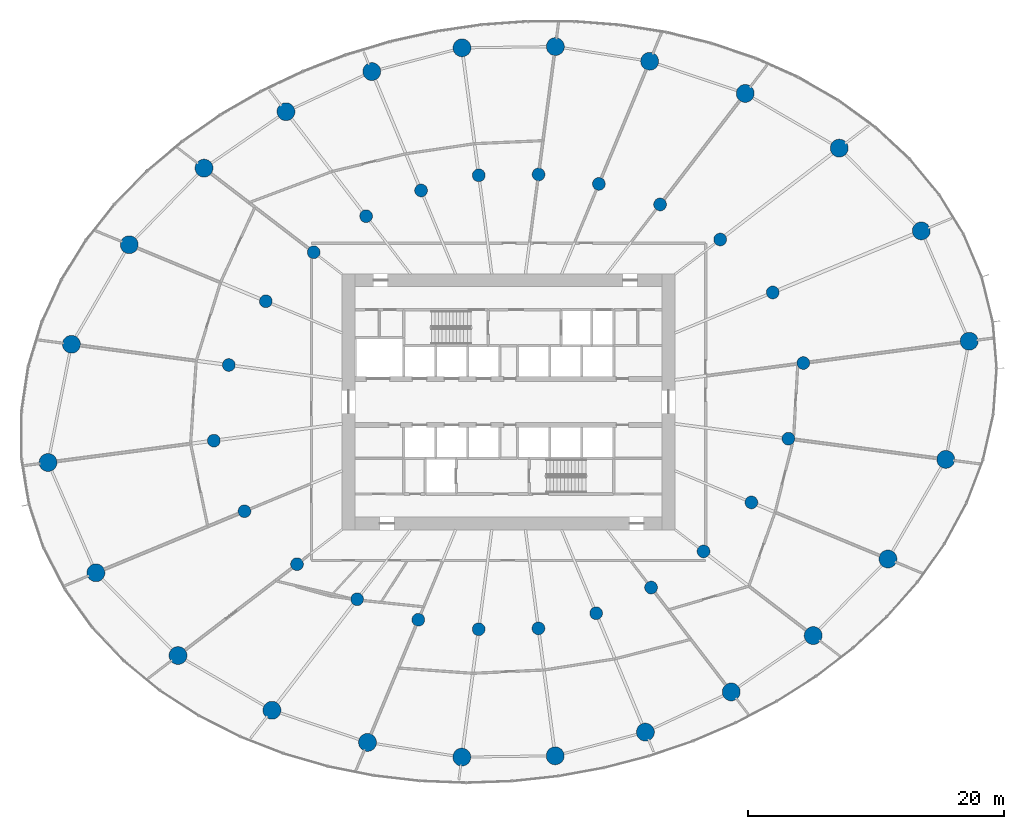
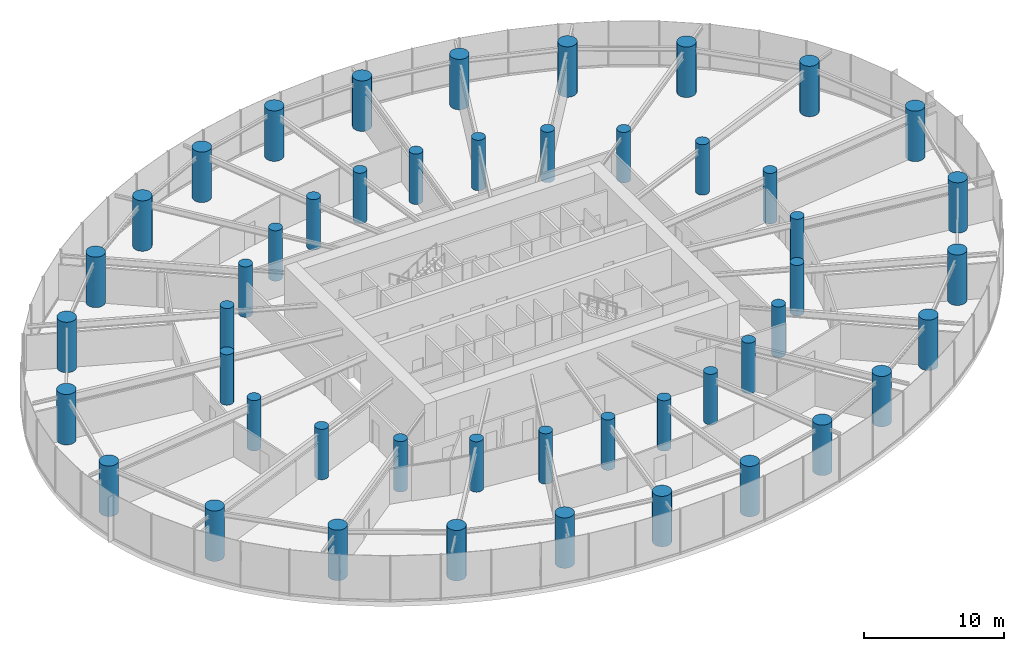
# One storey, part 1 of 19: 48 columns.
"""IFC4 building model written with IfcOpenShell, lengths in metres."""

from ifc_helpers import new_model, si_unit, direction, frame, origin, origin_2d, place, context, subcontext, project, spatial, circle, extrude, source, transform, mapped, material, material_profile, profile_set, type_object, element, save


model = new_model("IFC4")

# Units and contexts
model_context = context("Model", 3, precision=1e-05, world=origin(), true_north=direction((0.0, 1.0)))
body_context = subcontext(model_context, "Body", "Model", "MODEL_VIEW")
ifc_project = project(units=[si_unit("LENGTHUNIT", "METRE"), si_unit("AREAUNIT", "SQUARE_METRE"), si_unit("VOLUMEUNIT", "CUBIC_METRE"), si_unit("PLANEANGLEUNIT", "RADIAN"), si_unit("MASSUNIT", "GRAM", prefix="KILO")], contexts=[model_context])

# Site, building, storey
site_placement = place(None, origin())
site = spatial("IfcSite", under=ifc_project, at=site_placement, CompositionType="ELEMENT")
building_placement = place(site_placement, origin())
building = spatial("IfcBuilding", under=site, at=building_placement, Name="Spindrift Exchange Tower", CompositionType="ELEMENT")
storey_placement = place(building_placement, frame((0.0, 0.0, 44.60009765625)))
storey = spatial("IfcBuildingStorey", under=building, at=storey_placement, Name="L10", CompositionType="ELEMENT", Elevation=44.60009765625)

# Columns
ifc_material = material(Name="Concrete 80 MPa", Category="concrete")
ifc_material_profile_1 = material_profile(ifc_material, circle(Radius=0.699951171875, at=origin_2d()), Name="RC D1400")
ifc_profile_set_1 = profile_set([ifc_material_profile_1], Name="Concrete 80 MPa")
column_type_1 = type_object("IfcColumnType", Name="RC Perimeter Column D1400 Concrete 80 MPa", PredefinedType="COLUMN", material=ifc_profile_set_1)
shared_shape_1 = source(origin(), body_context, "Body", "SweptSolid", [
    extrude(circle(Radius=0.699951171875, at=origin_2d()), origin(), (0.0, 0.0, 1.0), 4.39990234375),
])
for number, where, z_axis, x_axis, name in (
    (1, (87.990478515625, 52.73828125, 0.0), (0.0, 0.0, 1.0), (1.0, 0.0, 0.0), "Perimeter column P1-01 L10"),
    (2, (84.248779296875, 61.35791015625, 0.0), (0.0, 0.0, 1.0), (1.0, 0.0, 0.0), "Perimeter column P1-02 L10"),
    (3, (77.835693359375, 67.82421875, 0.0), (0.0, 0.0, 1.0), (1.0, 0.0, 0.0), "Perimeter column P1-03 L10"),
    (4, (70.4921875, 72.099609375, 0.0), (0.0, 0.0, 1.0), (1.0, 0.0, 0.0), "Perimeter column P1-04 L10"),
    (5, (63.022705078125, 74.611328125, 0.0), (0.0, 0.0, 1.0), (1.0, 0.0, 0.0), "Perimeter column P1-05 L10"),
    (6, (55.65478515625, 75.761474609375, 0.0), (0.0, 0.0, 1.0), (1.0, 0.0, 0.0), "Perimeter column P1-06 L10"),
    (7, (48.3583984375, 75.661376953125, 0.0), (0.0, 0.0, 1.0), (1.0, 0.0, 0.0), "Perimeter column P1-07 L10"),
    (8, (41.309814453125, 73.80859375, 0.0), (0.0, 0.0, 1.0), (1.0, 0.0, 0.0), "Perimeter column P1-08 L10"),
    (9, (34.603515625, 70.671630859375, 0.0), (0.0, 0.0, 1.0), (1.0, 0.0, 0.0), "Perimeter column P1-09 L10"),
    (10, (28.199462890625, 66.2626953125, 0.0), (0.0, 0.0, 1.0), (1.0, 0.0, 0.0), "Perimeter column P1-10 L10"),
    (11, (22.35546875, 60.279296875, 0.0), (0.0, 0.0, 1.0), (1.0, 0.0, 0.0), "Perimeter column P1-11 L10"),
    (12, (17.8388671875, 52.497314453125, 0.0), (0.0, 0.0, 1.0), (1.0, 0.0, 0.0), "Perimeter column P1-12 L10"),
    (13, (16.009521484375, 43.26171875, 0.0), (0.0, 0.0, 1.0), (1.0, 0.0, 0.0), "Perimeter column P1-13 L10"),
    (14, (19.751220703125, 34.64208984375, 0.0), (0.0, 0.0, 1.0), (1.0, 0.0, 0.0), "Perimeter column P1-14 L10"),
    (15, (26.164306640625, 28.17578125, 0.0), (0.0, 0.0, 1.0), (1.0, 0.0, 0.0), "Perimeter column P1-15 L10"),
    (16, (33.5078125, 23.900390625, 0.0), (0.0, 0.0, 1.0), (1.0, 0.0, 0.0), "Perimeter column P1-16 L10"),
    (17, (40.977294921875, 21.388671875, 0.0), (0.0, 0.0, 1.0), (1.0, 0.0, 0.0), "Perimeter column P1-17 L10"),
    (18, (48.34521484375, 20.238525390625, 0.0), (0.0, 0.0, 1.0), (1.0, 0.0, 0.0), "Perimeter column P1-18 L10"),
    (19, (55.6416015625, 20.338623046875, 0.0), (0.0, 0.0, 1.0), (1.0, 0.0, 0.0), "Perimeter column P1-19 L10"),
    (20, (62.690185546875, 22.19140625, 0.0), (0.0, 0.0, 1.0), (1.0, 0.0, 0.0), "Perimeter column P1-20 L10"),
    (21, (69.396484375, 25.328369140625, 0.0), (0.0, 0.0, 1.0), (1.0, 0.0, 0.0), "Perimeter column P1-21 L10"),
    (22, (75.800537109375, 29.7373046875, 0.0), (0.0, 0.0, 1.0), (1.0, 0.0, 0.0), "Perimeter column P1-22 L10"),
    (23, (81.64453125, 35.720703125, 0.0), (0.0, 0.0, 1.0), (1.0, 0.0, 0.0), "Perimeter column P1-23 L10"),
    (24, (86.1611328125, 43.502685546875, 0.0), (0.0, 0.0, 1.0), (1.0, 0.0, 0.0), "Perimeter column P1-24 L10"),
):
    element("IfcColumn", number, at=place(storey_placement, frame(where, z_axis=z_axis, x_axis=x_axis)), inside=storey, type_object=column_type_1, Name=name, PredefinedType="COLUMN", context=body_context, shape_type="MappedRepresentation", body=[
        mapped(shared_shape_1, transform((0.0, 0.0, 0.0), scale=1.0)),
    ])
ifc_material_profile_2 = material_profile(ifc_material, circle(Radius=0.5, at=origin_2d()), Name="RC D1000")
ifc_profile_set_2 = profile_set([ifc_material_profile_2], Name="Concrete 80 MPa")
column_type_2 = type_object("IfcColumnType", Name="RC Inner Column D1000 Concrete 80 MPa", PredefinedType="COLUMN", material=ifc_profile_set_2)
shared_shape_2 = source(origin(), body_context, "Body", "SweptSolid", [
    extrude(circle(Radius=0.5, at=origin_2d()), origin(), (0.0, 0.0, 1.0), 4.39990234375),
])
for number, where, z_axis, x_axis, name in (
    (25, (75.033935546875, 51.032470703125, 0.0), (0.0, 0.0, 1.0), (1.0, 0.0, 0.0), "Inner column Q1-01 L10"),
    (26, (72.639404296875, 56.549072265625, 0.0), (0.0, 0.0, 1.0), (1.0, 0.0, 0.0), "Inner column Q1-02 L10"),
    (27, (68.534912109375, 60.6875, 0.0), (0.0, 0.0, 1.0), (1.0, 0.0, 0.0), "Inner column Q1-03 L10"),
    (28, (63.835205078125, 63.423828125, 0.0), (0.0, 0.0, 1.0), (1.0, 0.0, 0.0), "Inner column Q1-04 L10"),
    (29, (59.0546875, 65.03125, 0.0), (0.0, 0.0, 1.0), (1.0, 0.0, 0.0), "Inner column Q1-05 L10"),
    (30, (54.339111328125, 65.767333984375, 0.0), (0.0, 0.0, 1.0), (1.0, 0.0, 0.0), "Inner column Q1-06 L10"),
    (31, (49.669189453125, 65.703125, 0.0), (0.0, 0.0, 1.0), (1.0, 0.0, 0.0), "Inner column Q1-07 L10"),
    (32, (45.158203125, 64.517578125, 0.0), (0.0, 0.0, 1.0), (1.0, 0.0, 0.0), "Inner column Q1-08 L10"),
    (33, (40.8662109375, 62.510009765625, 0.0), (0.0, 0.0, 1.0), (1.0, 0.0, 0.0), "Inner column Q1-09 L10"),
    (34, (36.767578125, 59.688232421875, 0.0), (0.0, 0.0, 1.0), (1.0, 0.0, 0.0), "Inner column Q1-10 L10"),
    (35, (33.027587890625, 55.858642578125, 0.0), (0.0, 0.0, 1.0), (1.0, 0.0, 0.0), "Inner column Q1-11 L10"),
    (36, (30.13671875, 50.87841796875, 0.0), (0.0, 0.0, 1.0), (1.0, 0.0, 0.0), "Inner column Q1-12 L10"),
    (37, (28.966064453125, 44.967529296875, 0.0), (0.0, 0.0, 1.0), (1.0, 0.0, 0.0), "Inner column Q1-13 L10"),
    (38, (31.360595703125, 39.450927734375, 0.0), (0.0, 0.0, 1.0), (1.0, 0.0, 0.0), "Inner column Q1-14 L10"),
    (39, (35.465087890625, 35.3125, 0.0), (0.0, 0.0, 1.0), (1.0, 0.0, 0.0), "Inner column Q1-15 L10"),
    (40, (40.164794921875, 32.576171875, 0.0), (0.0, 0.0, 1.0), (1.0, 0.0, 0.0), "Inner column Q1-16 L10"),
    (41, (44.9453125, 30.96875, 0.0), (0.0, 0.0, 1.0), (1.0, 0.0, 0.0), "Inner column Q1-17 L10"),
    (42, (49.660888671875, 30.232666015625, 0.0), (0.0, 0.0, 1.0), (1.0, 0.0, 0.0), "Inner column Q1-18 L10"),
    (43, (54.330810546875, 30.296875, 0.0), (0.0, 0.0, 1.0), (1.0, 0.0, 0.0), "Inner column Q1-19 L10"),
    (44, (58.841796875, 31.482421875, 0.0), (0.0, 0.0, 1.0), (1.0, 0.0, 0.0), "Inner column Q1-20 L10"),
    (45, (63.1337890625, 33.489990234375, 0.0), (0.0, 0.0, 1.0), (1.0, 0.0, 0.0), "Inner column Q1-21 L10"),
    (46, (67.232421875, 36.311767578125, 0.0), (0.0, 0.0, 1.0), (1.0, 0.0, 0.0), "Inner column Q1-22 L10"),
    (47, (70.972412109375, 40.141357421875, 0.0), (0.0, 0.0, 1.0), (1.0, 0.0, 0.0), "Inner column Q1-23 L10"),
    (48, (73.86328125, 45.12158203125, 0.0), (0.0, 0.0, 1.0), (1.0, 0.0, 0.0), "Inner column Q1-24 L10"),
):
    element("IfcColumn", number, at=place(storey_placement, frame(where, z_axis=z_axis, x_axis=x_axis)), inside=storey, type_object=column_type_2, Name=name, PredefinedType="COLUMN", context=body_context, shape_type="MappedRepresentation", body=[
        mapped(shared_shape_2, transform((0.0, 0.0, 0.0), scale=1.0)),
    ])

save(model, "model.ifc")
